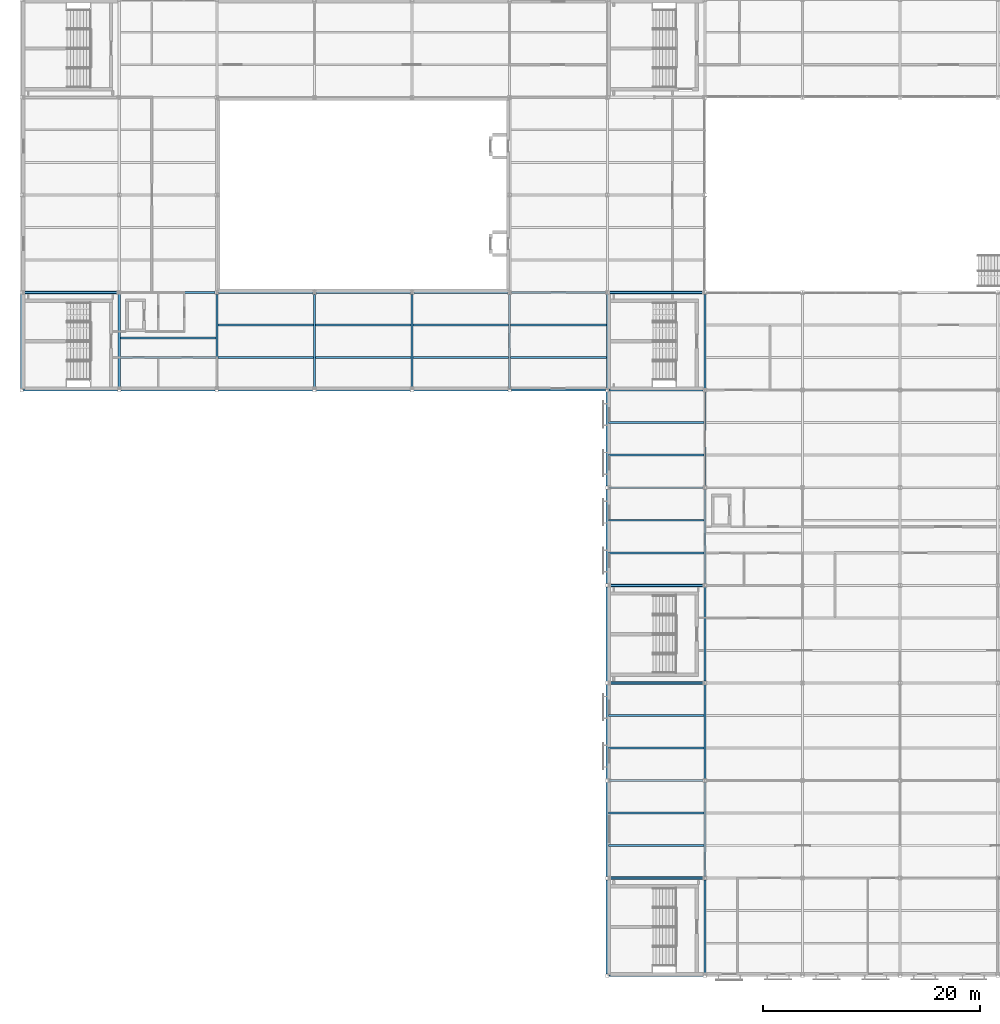
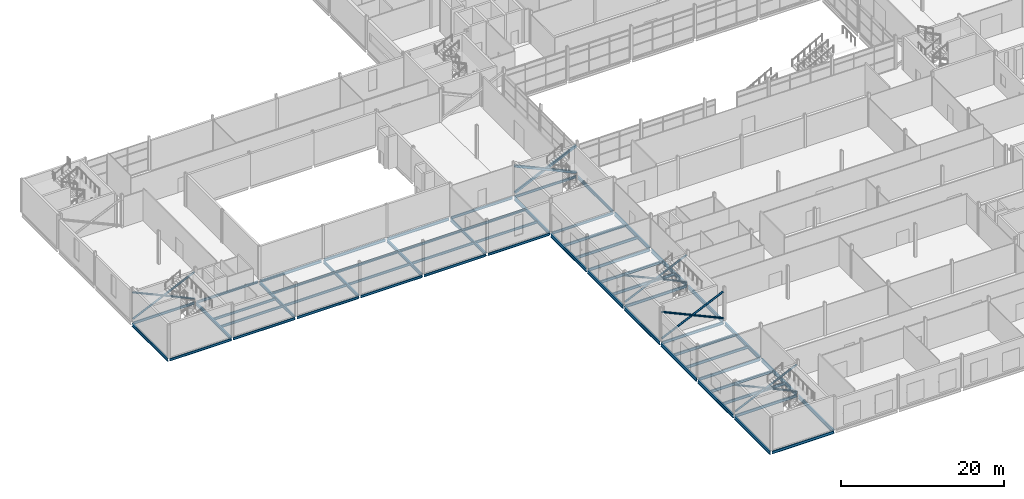
# One storey, part 17 of 112: 58 beams, 10 members.
"""IFC4 building model written with IfcOpenShell, lengths in metres."""

import ifcopenshell
import ifcopenshell.guid

model = None  # the IFC model being written
_history = None  # IfcOwnerHistory: only IFC2X3 demands one
_inside = {}  # id of a spatial element -> (the spatial element, [elements in it])
_under = {}  # id of a project, library or spatial element -> (it, [spatial elements below it])
_declared = {}  # id of a project -> (the project, [libraries it declares])
_typed = {}  # id of a type object -> (the type object, [elements of that type])
_made_of = {}  # id of a material, layer set ... -> (it, [elements and type objects made of it])


def new_model(schema):
    """Start an empty IFC model of exactly this schema.

    Asked for "IFC4X3", IfcOpenShell would pick the latest addendum, in which some entities
    have other attributes; the version numbers below select the first issue.
    IFC2X3 requires an IfcOwnerHistory on every rooted entity: one is made here for all.
    """
    global model, _history
    if schema == "IFC4X3":
        model = ifcopenshell.file(schema_version=(4, 3, 0, 0))
    else:
        model = ifcopenshell.file(schema=schema)
    _inside.clear()
    _under.clear()
    _declared.clear()
    _typed.clear()
    _made_of.clear()
    _history = None
    if model.schema == "IFC2X3":
        org = make("IfcOrganization", Name="unknown")
        user = make(
            "IfcPersonAndOrganization",
            ThePerson=make("IfcPerson", FamilyName="unknown"),
            TheOrganization=org,
        )
        app = make(
            "IfcApplication",
            ApplicationDeveloper=org,
            Version="unknown",
            ApplicationFullName="unknown",
            ApplicationIdentifier="unknown",
        )
        _history = make(
            "IfcOwnerHistory",
            OwningUser=user,
            OwningApplication=app,
            ChangeAction="ADDED",
            CreationDate=0,
        )
    return model


def make(cls, **values):
    """One entity of the class cls with the attributes given. An attribute that is None is left unset."""
    return model.create_entity(
        cls, **{name: value for name, value in values.items() if value is not None}
    )


def rooted(cls, **values):
    """An entity with a GlobalId (a new one), such as an element, a storey or a relation."""
    return make(cls, GlobalId=ifcopenshell.guid.new(), OwnerHistory=_history, **values)


def si_unit(unit_type, name, prefix=None):
    """IfcSIUnit, for example si_unit("LENGTHUNIT", "METRE", prefix="MILLI")."""
    return make("IfcSIUnit", UnitType=unit_type, Prefix=prefix, Name=name)


def assignment(units):
    """IfcUnitAssignment: the units of a project."""
    return None if units is None else make("IfcUnitAssignment", Units=units)


def point(xyz):
    """IfcCartesianPoint."""
    return None if xyz is None else make("IfcCartesianPoint", Coordinates=xyz)


def direction(xyz):
    """IfcDirection."""
    return None if xyz is None else make("IfcDirection", DirectionRatios=xyz)


def frame(location, z_axis=None, x_axis=None):
    """IfcAxis2Placement3D, a coordinate frame: its origin and axes. An axis left out is left unset."""
    return make(
        "IfcAxis2Placement3D",
        Location=point(location),
        Axis=direction(z_axis),
        RefDirection=direction(x_axis),
    )


def frame_2d(location, x_axis=None):
    """IfcAxis2Placement2D, a coordinate frame in the plane: its origin and x axis."""
    return make(
        "IfcAxis2Placement2D", Location=point(location), RefDirection=direction(x_axis)
    )


def origin():
    """The frame at (0, 0, 0) with its axes left unset."""
    return frame((0.0, 0.0, 0.0))


def origin_2d():
    """The frame at (0, 0) in the plane with its x axis left unset."""
    return frame_2d((0.0, 0.0))


def place(relative_to, where):
    """IfcLocalPlacement: puts the frame where relative to a parent placement (None: the world)."""
    return make(
        "IfcLocalPlacement", PlacementRelTo=relative_to, RelativePlacement=where
    )


def context(
    kind, dimensions, precision=None, world=None, true_north=None, identifier=None
):
    """IfcGeometricRepresentationContext, for example the 3D "Model" context."""
    return make(
        "IfcGeometricRepresentationContext",
        ContextIdentifier=identifier,
        ContextType=kind,
        CoordinateSpaceDimension=dimensions,
        Precision=precision,
        WorldCoordinateSystem=world,
        TrueNorth=true_north,
    )


def subcontext(parent, identifier, kind, view, scale=None):
    """IfcGeometricRepresentationSubContext, for example "Body" below "Model"."""
    return make(
        "IfcGeometricRepresentationSubContext",
        ContextIdentifier=identifier,
        ContextType=kind,
        ParentContext=parent,
        TargetScale=scale,
        TargetView=view,
    )


def project(units=None, contexts=None):
    """IfcProject with its units and contexts."""
    return rooted(
        "IfcProject",
        Name="project",
        RepresentationContexts=contexts,
        UnitsInContext=assignment(units),
    )


def spatial(cls, under=None, at=None, **own):
    """A site, building, storey or space (cls), placed at a placement, below another one or the project."""
    s = rooted(cls, ObjectPlacement=at, **own)
    if under is not None:
        _under.setdefault(under.id(), (under, []))[1].append(s)
    return s


def profile(cls, at=None, kind="AREA", **sizes):
    """A parametric profile (cls). Its sizes go by their IFC names, for example OverallWidth=200.0."""
    return make(cls, ProfileType=kind, Position=at, **sizes)


def hollow_rectangle(**sizes):
    """IfcRectangleHollowProfileDef."""
    return profile("IfcRectangleHollowProfileDef", **sizes)


def hollow_circle(**sizes):
    """IfcCircleHollowProfileDef."""
    return profile("IfcCircleHollowProfileDef", **sizes)


def i_section(**sizes):
    """IfcIShapeProfileDef."""
    return profile("IfcIShapeProfileDef", **sizes)


def extrude(swept, where, along, depth):
    """IfcExtrudedAreaSolid: the profile swept, set in the frame where, extruded along a direction by depth."""
    return make(
        "IfcExtrudedAreaSolid",
        SweptArea=swept,
        Position=where,
        ExtrudedDirection=direction(along),
        Depth=depth,
    )


def shape(context_of_items, identifier, shape_type, items):
    """IfcShapeRepresentation: the items that make up one representation, for example the "Body"."""
    return make(
        "IfcShapeRepresentation",
        ContextOfItems=context_of_items,
        RepresentationIdentifier=identifier,
        RepresentationType=shape_type,
        Items=items,
    )


def material(Name=None, Category=None):
    """IfcMaterial."""
    return make("IfcMaterial", Name=Name, Category=Category)


def material_profile(
    of_material, cross_section, Name=None, Category=None, Priority=None
):
    """IfcMaterialProfile: a cross section and its material."""
    return make(
        "IfcMaterialProfile",
        Name=Name,
        Material=of_material,
        Profile=cross_section,
        Priority=Priority,
        Category=Category,
    )


def profile_set(profiles, Name=None, composite=None):
    """IfcMaterialProfileSet."""
    return make(
        "IfcMaterialProfileSet",
        Name=Name,
        MaterialProfiles=profiles,
        CompositeProfile=composite,
    )


def made_of(thing, what):
    """Note that an element or type object is made of a material, layer set ...; save() writes the relation."""
    if what is not None:
        _made_of.setdefault(what.id(), (what, []))[1].append(thing)
    return thing


def type_object(cls, material=None, **own):
    """A type object (cls), such as IfcWallType, which elements share."""
    return made_of(rooted(cls, **own), material)


def element(
    cls,
    number,
    at=None,
    inside=None,
    cuts=None,
    type_object=None,
    material=None,
    context=None,
    identifier="Body",
    shape_type=None,
    held_by="IfcProductDefinitionShape",
    body=None,
    shapes=None,
    **own,
):
    """One element of the class cls, such as IfcWall. Its Tag is "e" and its number.

    at: its placement. inside: the storey or other place that contains it. cuts: it is an
    opening in that element (IfcRelVoidsElement). A single representation is given by context,
    identifier, shape_type and body (its items); several are given by shapes. held_by: the class
    of the entity that holds the representations. save() writes the other relations.
    """
    e = rooted(cls, Tag="e%d" % number, ObjectPlacement=at, **own)
    if body is not None:
        shapes = [shape(context, identifier, shape_type, body)]
    if shapes is not None:
        e.Representation = make(held_by, Representations=shapes)
    if inside is not None:
        _inside.setdefault(inside.id(), (inside, []))[1].append(e)
    if cuts is not None:
        rooted(
            "IfcRelVoidsElement", RelatingBuildingElement=cuts, RelatedOpeningElement=e
        )
    if type_object is not None:
        _typed.setdefault(type_object.id(), (type_object, []))[1].append(e)
    return made_of(e, material)


def aggregate(whole, parts):
    """IfcRelAggregates: a whole, such as a stair, and the parts it consists of."""
    return rooted("IfcRelAggregates", RelatingObject=whole, RelatedObjects=parts)


def save(model, path):
    """Write the relations noted so far, then the file.

    IfcRelAggregates (storeys below a building ...), IfcRelContainedInSpatialStructure (elements
    in a storey), IfcRelDefinesByType, IfcRelAssociatesMaterial and IfcRelDeclares: one each for
    every whole, place, type object, material and project.
    """
    for whole, parts in _under.values():
        aggregate(whole, parts)
    for where, things in _inside.values():
        rooted(
            "IfcRelContainedInSpatialStructure",
            RelatedElements=things,
            RelatingStructure=where,
        )
    for kind, things in _typed.values():
        rooted("IfcRelDefinesByType", RelatedObjects=things, RelatingType=kind)
    for what, things in _made_of.values():
        rooted("IfcRelAssociatesMaterial", RelatedObjects=things, RelatingMaterial=what)
    for by, libraries in _declared.values():
        rooted("IfcRelDeclares", RelatingContext=by, RelatedDefinitions=libraries)
    model.write(path)


model = new_model("IFC4")

# Units and contexts
model_context = context("Model", 3, precision=1e-05, world=origin(), true_north=direction((0.0, 1.0)))
body_context = subcontext(model_context, "Body", "Model", "MODEL_VIEW")
ifc_project = project(units=[si_unit("LENGTHUNIT", "METRE"), si_unit("AREAUNIT", "SQUARE_METRE"), si_unit("VOLUMEUNIT", "CUBIC_METRE"), si_unit("PLANEANGLEUNIT", "RADIAN"), si_unit("MASSUNIT", "GRAM", prefix="KILO")], contexts=[model_context])

# Site, building, storey
site_placement = place(None, origin())
site = spatial("IfcSite", under=ifc_project, at=site_placement, CompositionType="ELEMENT")
building_placement = place(site_placement, origin())
building = spatial("IfcBuilding", under=site, at=building_placement, Name="Shorebreak Coast Museum", CompositionType="ELEMENT")
storey_placement = place(building_placement, frame((0.0, 0.0, 6.0)))
storey = spatial("IfcBuildingStorey", under=building, at=storey_placement, Name="L01", CompositionType="ELEMENT", Elevation=6.0)

# Beams
ifc_material_1 = material(Name="Steel Grade 300", Category="steel")
ifc_material_profile_1 = material_profile(ifc_material_1, i_section(OverallWidth=0.1708984375, OverallDepth=0.355712890625, WebThickness=0.00732421875, FlangeThickness=0.011474609375, FilletRadius=0.011474609375, at=origin_2d()), Name="360UB50.7")
ifc_profile_set_1 = profile_set([ifc_material_profile_1], Name="Steel Grade 300")
beam_type_1 = type_object("IfcBeamType", Name="Floor girder east-west 360UB50.7", PredefinedType="BEAM", material=ifc_profile_set_1)
for number, where, z_axis, x_axis, name in (
    (1, (0.14990234375, 54.0, -0.352783203125), (1.0, 0.0, 0.0), (0.0, 1.0, 0.0), "Floor girder east-west L01 1G"),
    (2, (9.14990234375, 54.0, -0.352783203125), (1.0, 0.0, 0.0), (0.0, 1.0, 0.0), "Floor girder east-west L01 2G"),
    (3, (18.14990234375, 54.0, -0.352783203125), (1.0, 0.0, 0.0), (0.0, 1.0, 0.0), "Floor girder east-west L01 3G"),
    (4, (27.14990234375, 54.0, -0.352783203125), (1.0, 0.0, 0.0), (0.0, 1.0, 0.0), "Floor girder east-west L01 4G"),
    (5, (36.14990234375, 54.0, -0.352783203125), (1.0, 0.0, 0.0), (0.0, 1.0, 0.0), "Floor girder east-west L01 5G"),
    (6, (45.14990234375, 54.0, -0.352783203125), (1.0, 0.0, 0.0), (0.0, 1.0, 0.0), "Floor girder east-west L01 6G"),
):
    element("IfcBeam", number, at=place(storey_placement, frame(where, z_axis=z_axis, x_axis=x_axis)), inside=storey, type_object=beam_type_1, Name=name, PredefinedType="BEAM", context=body_context, shape_type="SweptSolid", body=[
        extrude(i_section(OverallWidth=0.1708984375, OverallDepth=0.355712890625, WebThickness=0.00732421875, FlangeThickness=0.011474609375, FilletRadius=0.011474609375, at=origin_2d()), origin(), (0.0, 0.0, 1.0), 8.7001953125),
    ])
beam_1_placement = place(storey_placement, frame((0.14990234375, 63.0, -0.352783203125), z_axis=(1.0, 0.0, 0.0), x_axis=(0.0, 1.0, 0.0)))
element("IfcBeam", 7, at=beam_1_placement, inside=storey, type_object=beam_type_1, Name="Floor girder east-west L01 1H", PredefinedType="BEAM", context=body_context, shape_type="SweptSolid", body=[
    extrude(i_section(OverallWidth=0.1708984375, OverallDepth=0.355712890625, WebThickness=0.00732421875, FlangeThickness=0.011474609375, FilletRadius=0.011474609375, at=origin_2d()), origin(), (0.0, 0.0, 1.0), 8.695556640625),
])
for number, where, z_axis, x_axis, name in (
    (8, (9.154541015625, 63.0, -0.352783203125), (1.0, 0.0, 0.0), (0.0, 1.0, 0.0), "Floor girder east-west L01 2H"),
    (9, (45.155517578125, 63.0, -0.352783203125), (1.0, 0.0, 0.0), (0.0, 1.0, 0.0), "Floor girder east-west L01 6H"),
):
    element("IfcBeam", number, at=place(storey_placement, frame(where, z_axis=z_axis, x_axis=x_axis)), inside=storey, type_object=beam_type_1, Name=name, PredefinedType="BEAM", context=body_context, shape_type="SweptSolid", body=[
        extrude(i_section(OverallWidth=0.1708984375, OverallDepth=0.355712890625, WebThickness=0.00732421875, FlangeThickness=0.011474609375, FilletRadius=0.011474609375, at=origin_2d()), origin(), (0.0, 0.0, 1.0), 8.68994140625),
    ])
ifc_material_2 = material(Name="Steel Grade 300", Category="steel")
ifc_material_profile_2 = material_profile(ifc_material_2, i_section(OverallWidth=0.172119140625, OverallDepth=0.358642578125, WebThickness=0.008056640625, FlangeThickness=0.012939453125, FilletRadius=0.011474609375, at=origin_2d()), Name="360UB56.7")
ifc_profile_set_2 = profile_set([ifc_material_profile_2], Name="Steel Grade 300")
beam_type_2 = type_object("IfcBeamType", Name="Floor girder east-west 360UB56.7", PredefinedType="BEAM", material=ifc_profile_set_2)
beam_2_placement = place(storey_placement, frame((54.14990234375, 54.0, -0.354248046875), z_axis=(1.0, 0.0, 0.0), x_axis=(0.0, 1.0, 0.0)))
element("IfcBeam", 10, at=beam_2_placement, inside=storey, type_object=beam_type_2, Name="Floor girder east-west L01 7G", PredefinedType="BEAM", context=body_context, shape_type="SweptSolid", body=[
    extrude(i_section(OverallWidth=0.172119140625, OverallDepth=0.358642578125, WebThickness=0.008056640625, FlangeThickness=0.012939453125, FilletRadius=0.011474609375, at=origin_2d()), origin(), (0.0, 0.0, 1.0), 8.695556640625),
])
beam_3_placement = place(storey_placement, frame((54.154541015625, 63.0, -0.354248046875), z_axis=(1.0, 0.0, 0.0), x_axis=(0.0, 1.0, 0.0)))
element("IfcBeam", 11, at=beam_3_placement, inside=storey, type_object=beam_type_2, Name="Floor girder east-west L01 7H", PredefinedType="BEAM", context=body_context, shape_type="SweptSolid", body=[
    extrude(i_section(OverallWidth=0.172119140625, OverallDepth=0.358642578125, WebThickness=0.008056640625, FlangeThickness=0.012939453125, FilletRadius=0.011474609375, at=origin_2d()), origin(), (0.0, 0.0, 1.0), 8.68994140625),
])
ifc_material_3 = material(Name="Steel Grade 300", Category="steel")
ifc_material_profile_3 = material_profile(ifc_material_3, i_section(OverallWidth=0.177978515625, OverallDepth=0.402587890625, WebThickness=0.007568359375, FlangeThickness=0.010986328125, FilletRadius=0.011474609375, at=origin_2d()), Name="410UB53.7")
ifc_profile_set_3 = profile_set([ifc_material_profile_3], Name="Steel Grade 300")
beam_type_3 = type_object("IfcBeamType", Name="Floor girder east-west 410UB53.7", PredefinedType="BEAM", material=ifc_profile_set_3)
for number, where, z_axis, x_axis, name in (
    (12, (18.155517578125, 63.0, -0.376220703125), (1.0, 0.0, 0.0), (0.0, 1.0, 0.0), "Floor girder east-west L01 3H"),
    (13, (27.155517578125, 63.0, -0.376220703125), (1.0, 0.0, 0.0), (0.0, 1.0, 0.0), "Floor girder east-west L01 4H"),
    (14, (36.155517578125, 63.0, -0.376220703125), (1.0, 0.0, 0.0), (0.0, 1.0, 0.0), "Floor girder east-west L01 5H"),
):
    element("IfcBeam", number, at=place(storey_placement, frame(where, z_axis=z_axis, x_axis=x_axis)), inside=storey, type_object=beam_type_3, Name=name, PredefinedType="BEAM", context=body_context, shape_type="SweptSolid", body=[
        extrude(i_section(OverallWidth=0.177978515625, OverallDepth=0.402587890625, WebThickness=0.007568359375, FlangeThickness=0.010986328125, FilletRadius=0.011474609375, at=origin_2d()), origin(), (0.0, 0.0, 1.0), 8.68896484375),
    ])
ifc_material_4 = material(Name="Steel Grade 300", Category="steel")
ifc_material_profile_4 = material_profile(ifc_material_4, i_section(OverallWidth=0.177978515625, OverallDepth=0.406494140625, WebThickness=0.0078125, FlangeThickness=0.0126953125, FilletRadius=0.011474609375, at=origin_2d()), Name="410UB59.7")
ifc_profile_set_4 = profile_set([ifc_material_profile_4], Name="Steel Grade 300")
beam_type_4 = type_object("IfcBeamType", Name="Floor girder east-west 410UB59.7", PredefinedType="BEAM", material=ifc_profile_set_4)
beam_4_placement = place(storey_placement, frame((54.14990234375, 0.0, -0.378173828125), z_axis=(1.0, 0.0, 0.0), x_axis=(0.0, 1.0, 0.0)))
element("IfcBeam", 15, at=beam_4_placement, inside=storey, type_object=beam_type_4, Name="Floor girder east-west L01 7A", PredefinedType="BEAM", context=body_context, shape_type="SweptSolid", body=[
    extrude(i_section(OverallWidth=0.177978515625, OverallDepth=0.406494140625, WebThickness=0.0078125, FlangeThickness=0.0126953125, FilletRadius=0.011474609375, at=origin_2d()), origin(), (0.0, 0.0, 1.0), 8.7001953125),
])
for number, where, z_axis, x_axis, name in (
    (16, (54.14990234375, 9.0, -0.378173828125), (1.0, 0.0, 0.0), (0.0, 1.0, 0.0), "Floor girder east-west L01 7B"),
    (17, (54.14990234375, 18.0, -0.378173828125), (1.0, 0.0, 0.0), (0.0, 1.0, 0.0), "Floor girder east-west L01 7C"),
    (18, (54.14990234375, 27.0, -0.378173828125), (1.0, 0.0, 0.0), (0.0, 1.0, 0.0), "Floor girder east-west L01 7D"),
    (19, (54.14990234375, 36.0, -0.378173828125), (1.0, 0.0, 0.0), (0.0, 1.0, 0.0), "Floor girder east-west L01 7E"),
    (20, (54.14990234375, 45.0, -0.378173828125), (1.0, 0.0, 0.0), (0.0, 1.0, 0.0), "Floor girder east-west L01 7F"),
):
    element("IfcBeam", number, at=place(storey_placement, frame(where, z_axis=z_axis, x_axis=x_axis)), inside=storey, type_object=beam_type_4, Name=name, PredefinedType="BEAM", context=body_context, shape_type="SweptSolid", body=[
        extrude(i_section(OverallWidth=0.177978515625, OverallDepth=0.406494140625, WebThickness=0.0078125, FlangeThickness=0.0126953125, FilletRadius=0.011474609375, at=origin_2d()), origin(), (0.0, 0.0, 1.0), 8.695556640625),
    ])
ifc_material_5 = material(Name="Steel Grade 300", Category="steel")
ifc_material_profile_5 = material_profile(ifc_material_5, i_section(OverallWidth=0.19091796875, OverallDepth=0.46044921875, WebThickness=0.010009765625, FlangeThickness=0.01611328125, FilletRadius=0.011474609375, at=origin_2d()), Name="460UB82.1")
ifc_profile_set_5 = profile_set([ifc_material_profile_5], Name="Steel Grade 300")
beam_type_5 = type_object("IfcBeamType", Name="Floor girder north-south 460UB82.1", PredefinedType="BEAM", material=ifc_profile_set_5)
beam_5_placement = place(storey_placement, frame((0.0, 54.14990234375, -0.4052734375), z_axis=(0.0, 1.0, 0.0), x_axis=(-1.0, 0.0, 0.0)))
element("IfcBeam", 21, at=beam_5_placement, inside=storey, type_object=beam_type_5, Name="Floor girder north-south L01 1G", PredefinedType="BEAM", context=body_context, shape_type="SweptSolid", body=[
    extrude(i_section(OverallWidth=0.19091796875, OverallDepth=0.46044921875, WebThickness=0.010009765625, FlangeThickness=0.01611328125, FilletRadius=0.011474609375, at=origin_2d()), origin(), (0.0, 0.0, 1.0), 8.7001953125),
])
beam_6_placement = place(storey_placement, frame((9.0, 54.14990234375, -0.4052734375), z_axis=(0.0, 1.0, 0.0), x_axis=(-1.0, 0.0, 0.0)))
element("IfcBeam", 22, at=beam_6_placement, inside=storey, type_object=beam_type_5, Name="Floor girder north-south L01 2G", PredefinedType="BEAM", context=body_context, shape_type="SweptSolid", body=[
    extrude(i_section(OverallWidth=0.19091796875, OverallDepth=0.46044921875, WebThickness=0.010009765625, FlangeThickness=0.01611328125, FilletRadius=0.011474609375, at=origin_2d()), origin(), (0.0, 0.0, 1.0), 8.689697265625),
])
for number, where, z_axis, x_axis, name in (
    (23, (18.0, 54.14990234375, -0.4052734375), (0.0, 1.0, 0.0), (-1.0, 0.0, 0.0), "Floor girder north-south L01 3G"),
    (24, (27.0, 54.14990234375, -0.4052734375), (0.0, 1.0, 0.0), (-1.0, 0.0, 0.0), "Floor girder north-south L01 4G"),
    (25, (36.0, 54.14990234375, -0.4052734375), (0.0, 1.0, 0.0), (-1.0, 0.0, 0.0), "Floor girder north-south L01 5G"),
    (26, (45.0, 54.14990234375, -0.4052734375), (0.0, 1.0, 0.0), (-1.0, 0.0, 0.0), "Floor girder north-south L01 6G"),
):
    element("IfcBeam", number, at=place(storey_placement, frame(where, z_axis=z_axis, x_axis=x_axis)), inside=storey, type_object=beam_type_5, Name=name, PredefinedType="BEAM", context=body_context, shape_type="SweptSolid", body=[
        extrude(i_section(OverallWidth=0.19091796875, OverallDepth=0.46044921875, WebThickness=0.010009765625, FlangeThickness=0.01611328125, FilletRadius=0.011474609375, at=origin_2d()), origin(), (0.0, 0.0, 1.0), 8.6865234375),
    ])
beam_7_placement = place(storey_placement, frame((54.0, 54.14990234375, -0.4052734375), z_axis=(0.0, 1.0, 0.0), x_axis=(-1.0, 0.0, 0.0)))
element("IfcBeam", 27, at=beam_7_placement, inside=storey, type_object=beam_type_5, Name="Floor girder north-south L01 7G", PredefinedType="BEAM", context=body_context, shape_type="SweptSolid", body=[
    extrude(i_section(OverallWidth=0.19091796875, OverallDepth=0.46044921875, WebThickness=0.010009765625, FlangeThickness=0.01611328125, FilletRadius=0.011474609375, at=origin_2d()), origin(), (0.0, 0.0, 1.0), 8.689697265625),
])
beam_8_placement = place(storey_placement, frame((63.0, 54.160400390625, -0.4052734375), z_axis=(0.0, 1.0, 0.0), x_axis=(-1.0, 0.0, 0.0)))
element("IfcBeam", 28, at=beam_8_placement, inside=storey, type_object=beam_type_5, Name="Floor girder north-south L01 8G", PredefinedType="BEAM", context=body_context, shape_type="SweptSolid", body=[
    extrude(i_section(OverallWidth=0.19091796875, OverallDepth=0.46044921875, WebThickness=0.010009765625, FlangeThickness=0.01611328125, FilletRadius=0.011474609375, at=origin_2d()), origin(), (0.0, 0.0, 1.0), 8.676025390625),
])
ifc_material_6 = material(Name="Steel Grade 300", Category="steel")
ifc_material_profile_6 = material_profile(ifc_material_6, i_section(OverallWidth=0.208984375, OverallDepth=0.532958984375, WebThickness=0.01025390625, FlangeThickness=0.015625, FilletRadius=0.013916015625, at=origin_2d()), Name="530UB92.4")
ifc_profile_set_6 = profile_set([ifc_material_profile_6], Name="Steel Grade 300")
beam_type_6 = type_object("IfcBeamType", Name="Floor girder north-south 530UB92.4", PredefinedType="BEAM", material=ifc_profile_set_6)
beam_9_placement = place(storey_placement, frame((54.0, 0.14990234375, -0.44140625), z_axis=(0.0, 1.0, 0.0), x_axis=(-1.0, 0.0, 0.0)))
element("IfcBeam", 29, at=beam_9_placement, inside=storey, type_object=beam_type_6, Name="Floor girder north-south L01 7A", PredefinedType="BEAM", context=body_context, shape_type="SweptSolid", body=[
    extrude(i_section(OverallWidth=0.208984375, OverallDepth=0.532958984375, WebThickness=0.01025390625, FlangeThickness=0.015625, FilletRadius=0.013916015625, at=origin_2d()), origin(), (0.0, 0.0, 1.0), 8.7001953125),
])
beam_10_placement = place(storey_placement, frame((63.0, 0.14990234375, -0.44140625), z_axis=(0.0, 1.0, 0.0), x_axis=(-1.0, 0.0, 0.0)))
element("IfcBeam", 30, at=beam_10_placement, inside=storey, type_object=beam_type_6, Name="Floor girder north-south L01 8A", PredefinedType="BEAM", context=body_context, shape_type="SweptSolid", body=[
    extrude(i_section(OverallWidth=0.208984375, OverallDepth=0.532958984375, WebThickness=0.01025390625, FlangeThickness=0.015625, FilletRadius=0.013916015625, at=origin_2d()), origin(), (0.0, 0.0, 1.0), 8.689697265625),
])
beam_11_placement = place(storey_placement, frame((54.0, 9.14990234375, -0.44140625), z_axis=(0.0, 1.0, 0.0), x_axis=(-1.0, 0.0, 0.0)))
element("IfcBeam", 31, at=beam_11_placement, inside=storey, type_object=beam_type_6, Name="Floor girder north-south L01 7B", PredefinedType="BEAM", context=body_context, shape_type="SweptSolid", body=[
    extrude(i_section(OverallWidth=0.208984375, OverallDepth=0.532958984375, WebThickness=0.01025390625, FlangeThickness=0.015625, FilletRadius=0.013916015625, at=origin_2d()), origin(), (0.0, 0.0, 1.0), 8.7001953125),
])
beam_12_placement = place(storey_placement, frame((63.0, 9.160400390625, -0.44140625), z_axis=(0.0, 1.0, 0.0), x_axis=(-1.0, 0.0, 0.0)))
element("IfcBeam", 32, at=beam_12_placement, inside=storey, type_object=beam_type_6, Name="Floor girder north-south L01 8B", PredefinedType="BEAM", context=body_context, shape_type="SweptSolid", body=[
    extrude(i_section(OverallWidth=0.208984375, OverallDepth=0.532958984375, WebThickness=0.01025390625, FlangeThickness=0.015625, FilletRadius=0.013916015625, at=origin_2d()), origin(), (0.0, 0.0, 1.0), 8.67919921875),
])
beam_13_placement = place(storey_placement, frame((54.0, 18.14990234375, -0.44140625), z_axis=(0.0, 1.0, 0.0), x_axis=(-1.0, 0.0, 0.0)))
element("IfcBeam", 33, at=beam_13_placement, inside=storey, type_object=beam_type_6, Name="Floor girder north-south L01 7C", PredefinedType="BEAM", context=body_context, shape_type="SweptSolid", body=[
    extrude(i_section(OverallWidth=0.208984375, OverallDepth=0.532958984375, WebThickness=0.01025390625, FlangeThickness=0.015625, FilletRadius=0.013916015625, at=origin_2d()), origin(), (0.0, 0.0, 1.0), 8.7001953125),
])
beam_14_placement = place(storey_placement, frame((63.0, 18.160400390625, -0.44140625), z_axis=(0.0, 1.0, 0.0), x_axis=(-1.0, 0.0, 0.0)))
element("IfcBeam", 34, at=beam_14_placement, inside=storey, type_object=beam_type_6, Name="Floor girder north-south L01 8C", PredefinedType="BEAM", context=body_context, shape_type="SweptSolid", body=[
    extrude(i_section(OverallWidth=0.208984375, OverallDepth=0.532958984375, WebThickness=0.01025390625, FlangeThickness=0.015625, FilletRadius=0.013916015625, at=origin_2d()), origin(), (0.0, 0.0, 1.0), 8.67919921875),
])
beam_15_placement = place(storey_placement, frame((54.0, 27.14990234375, -0.44140625), z_axis=(0.0, 1.0, 0.0), x_axis=(-1.0, 0.0, 0.0)))
element("IfcBeam", 35, at=beam_15_placement, inside=storey, type_object=beam_type_6, Name="Floor girder north-south L01 7D", PredefinedType="BEAM", context=body_context, shape_type="SweptSolid", body=[
    extrude(i_section(OverallWidth=0.208984375, OverallDepth=0.532958984375, WebThickness=0.01025390625, FlangeThickness=0.015625, FilletRadius=0.013916015625, at=origin_2d()), origin(), (0.0, 0.0, 1.0), 8.7001953125),
])
beam_16_placement = place(storey_placement, frame((63.0, 27.160400390625, -0.44140625), z_axis=(0.0, 1.0, 0.0), x_axis=(-1.0, 0.0, 0.0)))
element("IfcBeam", 36, at=beam_16_placement, inside=storey, type_object=beam_type_6, Name="Floor girder north-south L01 8D", PredefinedType="BEAM", context=body_context, shape_type="SweptSolid", body=[
    extrude(i_section(OverallWidth=0.208984375, OverallDepth=0.532958984375, WebThickness=0.01025390625, FlangeThickness=0.015625, FilletRadius=0.013916015625, at=origin_2d()), origin(), (0.0, 0.0, 1.0), 8.67919921875),
])
beam_17_placement = place(storey_placement, frame((54.0, 36.14990234375, -0.44140625), z_axis=(0.0, 1.0, 0.0), x_axis=(-1.0, 0.0, 0.0)))
element("IfcBeam", 37, at=beam_17_placement, inside=storey, type_object=beam_type_6, Name="Floor girder north-south L01 7E", PredefinedType="BEAM", context=body_context, shape_type="SweptSolid", body=[
    extrude(i_section(OverallWidth=0.208984375, OverallDepth=0.532958984375, WebThickness=0.01025390625, FlangeThickness=0.015625, FilletRadius=0.013916015625, at=origin_2d()), origin(), (0.0, 0.0, 1.0), 8.7001953125),
])
beam_18_placement = place(storey_placement, frame((63.0, 36.160400390625, -0.44140625), z_axis=(0.0, 1.0, 0.0), x_axis=(-1.0, 0.0, 0.0)))
element("IfcBeam", 38, at=beam_18_placement, inside=storey, type_object=beam_type_6, Name="Floor girder north-south L01 8E", PredefinedType="BEAM", context=body_context, shape_type="SweptSolid", body=[
    extrude(i_section(OverallWidth=0.208984375, OverallDepth=0.532958984375, WebThickness=0.01025390625, FlangeThickness=0.015625, FilletRadius=0.013916015625, at=origin_2d()), origin(), (0.0, 0.0, 1.0), 8.67919921875),
])
beam_19_placement = place(storey_placement, frame((54.0, 45.14990234375, -0.44140625), z_axis=(0.0, 1.0, 0.0), x_axis=(-1.0, 0.0, 0.0)))
element("IfcBeam", 39, at=beam_19_placement, inside=storey, type_object=beam_type_6, Name="Floor girder north-south L01 7F", PredefinedType="BEAM", context=body_context, shape_type="SweptSolid", body=[
    extrude(i_section(OverallWidth=0.208984375, OverallDepth=0.532958984375, WebThickness=0.01025390625, FlangeThickness=0.015625, FilletRadius=0.013916015625, at=origin_2d()), origin(), (0.0, 0.0, 1.0), 8.7001953125),
])
beam_20_placement = place(storey_placement, frame((63.0, 45.160400390625, -0.44140625), z_axis=(0.0, 1.0, 0.0), x_axis=(-1.0, 0.0, 0.0)))
element("IfcBeam", 40, at=beam_20_placement, inside=storey, type_object=beam_type_6, Name="Floor girder north-south L01 8F", PredefinedType="BEAM", context=body_context, shape_type="SweptSolid", body=[
    extrude(i_section(OverallWidth=0.208984375, OverallDepth=0.532958984375, WebThickness=0.01025390625, FlangeThickness=0.015625, FilletRadius=0.013916015625, at=origin_2d()), origin(), (0.0, 0.0, 1.0), 8.67919921875),
])
ifc_material_7 = material(Name="Steel Grade 300", Category="steel")
ifc_material_profile_7 = material_profile(ifc_material_7, i_section(OverallWidth=0.1708984375, OverallDepth=0.355712890625, WebThickness=0.00732421875, FlangeThickness=0.011474609375, FilletRadius=0.011474609375, at=origin_2d()), Name="360UB50.7")
ifc_profile_set_7 = profile_set([ifc_material_profile_7], Name="Steel Grade 300")
beam_type_7 = type_object("IfcBeamType", Name="Floor joist 360UB50.7", PredefinedType="JOIST", material=ifc_profile_set_7)
for number, where, z_axis, x_axis, name in (
    (41, (9.095458984375, 57.0, -0.352783203125), (1.0, 0.0, 0.0), (0.0, 1.0, 0.0), "Floor joist L01 bay 2G at 3000 mm"),
    (42, (9.095458984375, 58.800048828125, -0.352783203125), (1.0, 0.0, 0.0), (0.0, 1.0, 0.0), "Floor joist L01 bay 2G at 4800 mm"),
    (43, (18.095458984375, 57.0, -0.352783203125), (1.0, 0.0, 0.0), (0.0, 1.0, 0.0), "Floor joist L01 bay 3G at 3000 mm"),
    (44, (18.095458984375, 60.0, -0.352783203125), (1.0, 0.0, 0.0), (0.0, 1.0, 0.0), "Floor joist L01 bay 3G at 6000 mm"),
    (45, (27.095458984375, 57.0, -0.352783203125), (1.0, 0.0, 0.0), (0.0, 1.0, 0.0), "Floor joist L01 bay 4G at 3000 mm"),
    (46, (27.095458984375, 60.0, -0.352783203125), (1.0, 0.0, 0.0), (0.0, 1.0, 0.0), "Floor joist L01 bay 4G at 6000 mm"),
    (47, (36.095458984375, 57.0, -0.352783203125), (1.0, 0.0, 0.0), (0.0, 1.0, 0.0), "Floor joist L01 bay 5G at 3000 mm"),
    (48, (36.095458984375, 60.0, -0.352783203125), (1.0, 0.0, 0.0), (0.0, 1.0, 0.0), "Floor joist L01 bay 5G at 6000 mm"),
    (49, (45.095458984375, 57.0, -0.352783203125), (1.0, 0.0, 0.0), (0.0, 1.0, 0.0), "Floor joist L01 bay 6G at 3000 mm"),
    (50, (45.095458984375, 60.0, -0.352783203125), (1.0, 0.0, 0.0), (0.0, 1.0, 0.0), "Floor joist L01 bay 6G at 6000 mm"),
):
    element("IfcBeam", number, at=place(storey_placement, frame(where, z_axis=z_axis, x_axis=x_axis)), inside=storey, type_object=beam_type_7, Name=name, PredefinedType="JOIST", context=body_context, shape_type="SweptSolid", body=[
        extrude(i_section(OverallWidth=0.1708984375, OverallDepth=0.355712890625, WebThickness=0.00732421875, FlangeThickness=0.011474609375, FilletRadius=0.011474609375, at=origin_2d()), origin(), (0.0, 0.0, 1.0), 8.80908203125),
    ])
ifc_material_8 = material(Name="Steel Grade 300", Category="steel")
ifc_material_profile_8 = material_profile(ifc_material_8, i_section(OverallWidth=0.177978515625, OverallDepth=0.402587890625, WebThickness=0.007568359375, FlangeThickness=0.010986328125, FilletRadius=0.011474609375, at=origin_2d()), Name="410UB53.7")
ifc_profile_set_8 = profile_set([ifc_material_profile_8], Name="Steel Grade 300")
beam_type_8 = type_object("IfcBeamType", Name="Floor joist 410UB53.7", PredefinedType="JOIST", material=ifc_profile_set_8)
for number, where, z_axis, x_axis, name in (
    (51, (54.1044921875, 12.0, -0.376220703125), (1.0, 0.0, 0.0), (0.0, 1.0, 0.0), "Floor joist L01 bay 7B at 3000 mm"),
    (52, (54.1044921875, 15.0, -0.376220703125), (1.0, 0.0, 0.0), (0.0, 1.0, 0.0), "Floor joist L01 bay 7B at 6000 mm"),
    (53, (54.1044921875, 21.0, -0.376220703125), (1.0, 0.0, 0.0), (0.0, 1.0, 0.0), "Floor joist L01 bay 7C at 3000 mm"),
    (54, (54.1044921875, 24.0, -0.376220703125), (1.0, 0.0, 0.0), (0.0, 1.0, 0.0), "Floor joist L01 bay 7C at 6000 mm"),
    (55, (54.1044921875, 39.0, -0.376220703125), (1.0, 0.0, 0.0), (0.0, 1.0, 0.0), "Floor joist L01 bay 7E at 3000 mm"),
    (56, (54.1044921875, 42.0, -0.376220703125), (1.0, 0.0, 0.0), (0.0, 1.0, 0.0), "Floor joist L01 bay 7E at 6000 mm"),
    (57, (54.1044921875, 48.0, -0.376220703125), (1.0, 0.0, 0.0), (0.0, 1.0, 0.0), "Floor joist L01 bay 7F at 3000 mm"),
    (58, (54.1044921875, 51.0, -0.376220703125), (1.0, 0.0, 0.0), (0.0, 1.0, 0.0), "Floor joist L01 bay 7F at 6000 mm"),
):
    element("IfcBeam", number, at=place(storey_placement, frame(where, z_axis=z_axis, x_axis=x_axis)), inside=storey, type_object=beam_type_8, Name=name, PredefinedType="JOIST", context=body_context, shape_type="SweptSolid", body=[
        extrude(i_section(OverallWidth=0.177978515625, OverallDepth=0.402587890625, WebThickness=0.007568359375, FlangeThickness=0.010986328125, FilletRadius=0.011474609375, at=origin_2d()), origin(), (0.0, 0.0, 1.0), 8.791015625),
    ])

# Members
ifc_material_9 = material(Name="Steel Grade C350L0", Category="steel")
ifc_material_profile_9 = material_profile(ifc_material_9, hollow_circle(Radius=0.136474609375, WallThickness=0.00927734375, at=origin_2d()), Name="273.1x9.3 CHS")
ifc_profile_set_9 = profile_set([ifc_material_profile_9], Name="Steel Grade C350L0")
member_type_1 = type_object("IfcMemberType", Name="X-brace 273.1x9.3 CHS", PredefinedType="BRACE", material=ifc_profile_set_9)
for number, where, z_axis, x_axis, name in (
    (59, (0.14990234375, 63.0, 0.300048828125), (0.909484682467, 0.0, 0.415737431991), (0.0, 1.0, 0.0), "X-brace bay 05 L01 diagonal 1"),
    (60, (8.845458984375, 63.0, 0.300048828125), (-0.909484682467, 0.0, 0.415737431991), (0.0, -1.0, 0.0), "X-brace bay 05 L01 diagonal 2"),
    (61, (54.14990234375, 9.0, 0.300048828125), (0.909484682467, 0.0, 0.415737431991), (0.0, 1.0, 0.0), "X-brace bay 13 L01 diagonal 1"),
    (62, (62.845458984375, 9.0, 0.300048828125), (-0.909484682467, 0.0, 0.415737431991), (0.0, -1.0, 0.0), "X-brace bay 13 L01 diagonal 2"),
    (63, (54.14990234375, 27.0, 0.300048828125), (0.909484682467, 0.0, 0.415737431991), (0.0, 1.0, 0.0), "X-brace bay 15 L01 diagonal 1"),
    (64, (62.845458984375, 27.0, 0.300048828125), (-0.909484682467, 0.0, 0.415737431991), (0.0, -1.0, 0.0), "X-brace bay 15 L01 diagonal 2"),
    (65, (54.14990234375, 36.0, 0.300048828125), (0.909484682467, 0.0, 0.415737431991), (0.0, 1.0, 0.0), "X-brace bay 16 L01 diagonal 1"),
    (66, (62.845458984375, 36.0, 0.300048828125), (-0.909484682467, 0.0, 0.415737431991), (0.0, -1.0, 0.0), "X-brace bay 16 L01 diagonal 2"),
):
    element("IfcMember", number, at=place(storey_placement, frame(where, z_axis=z_axis, x_axis=x_axis)), inside=storey, type_object=member_type_1, Name=name, PredefinedType="BRACE", context=body_context, shape_type="SweptSolid", body=[
        extrude(hollow_circle(Radius=0.136474609375, WallThickness=0.00927734375, at=origin_2d()), origin(), (0.0, 0.0, 1.0), 9.56103515625),
    ])
ifc_material_10 = material(Name="Steel Grade C450L0", Category="steel")
ifc_material_profile_10 = material_profile(ifc_material_10, hollow_rectangle(XDim=0.25, YDim=0.35009765625, WallThickness=0.012451171875, InnerFilletRadius=0.018798828125, OuterFilletRadius=0.03125, at=origin_2d()), Name="350x250x12.5 RHS")
ifc_profile_set_10 = profile_set([ifc_material_profile_10], Name="Steel Grade C450L0")
member_type_2 = type_object("IfcMemberType", Name="X-brace 350x250x12.5 RHS", PredefinedType="BRACE", material=ifc_profile_set_10)
for number, where, z_axis, x_axis, name in (
    (67, (54.154541015625, 63.0, 0.300048828125), (0.909383092175, 0.0, 0.415959603408), (0.0, 1.0, 0.0), "X-brace bay 01 L01 diagonal 1"),
    (68, (62.844482421875, 63.0, 0.300048828125), (-0.909383092175, 0.0, 0.415959603408), (0.0, -1.0, 0.0), "X-brace bay 01 L01 diagonal 2"),
):
    element("IfcMember", number, at=place(storey_placement, frame(where, z_axis=z_axis, x_axis=x_axis)), inside=storey, type_object=member_type_2, Name=name, PredefinedType="BRACE", context=body_context, shape_type="SweptSolid", body=[
        extrude(hollow_rectangle(XDim=0.25, YDim=0.35009765625, WallThickness=0.012451171875, InnerFilletRadius=0.018798828125, OuterFilletRadius=0.03125, at=origin_2d()), origin(), (0.0, 0.0, 1.0), 9.555908203125),
    ])

save(model, "model.ifc")
